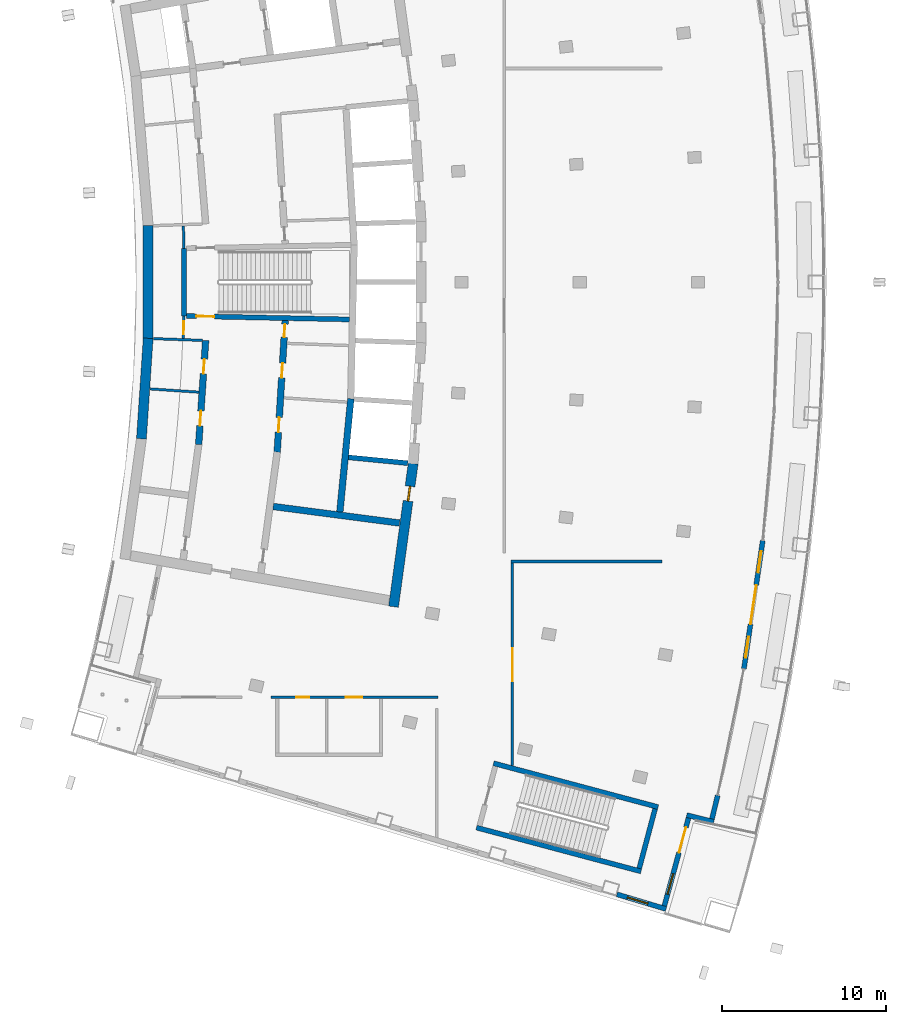
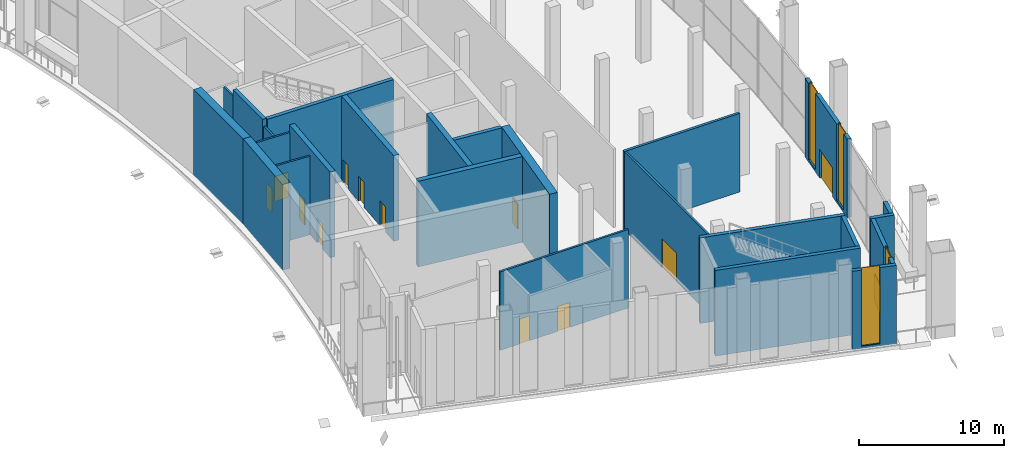
# One storey, part 14 of 24: 25 walls, 13 doors, 4 windows, 17 openings.
"""IFC4 building model written with IfcOpenShell, lengths in metres."""

from ifc_helpers import new_model, si_unit, direction, frame, frame_2d, origin, place, context, subcontext, project, spatial, rectangle, extrude, material, layer, layer_set, type_object, element, fill, save


model = new_model("IFC4")

# Units and contexts
model_context = context("Model", 3, precision=1e-05, world=origin(), true_north=direction((0.0, 1.0)))
body_context = subcontext(model_context, "Body", "Model", "MODEL_VIEW")
ifc_project = project(units=[si_unit("LENGTHUNIT", "METRE"), si_unit("AREAUNIT", "SQUARE_METRE"), si_unit("VOLUMEUNIT", "CUBIC_METRE"), si_unit("PLANEANGLEUNIT", "RADIAN"), si_unit("MASSUNIT", "GRAM", prefix="KILO")], contexts=[model_context])

# Site, building, storey
site_placement = place(None, origin())
site = spatial("IfcSite", under=ifc_project, at=site_placement, CompositionType="ELEMENT")
building_placement = place(site_placement, origin())
building = spatial("IfcBuilding", under=site, at=building_placement, Name="Alderwake Tower", CompositionType="ELEMENT")
storey_placement = place(building_placement, frame((0.0, 0.0, 232.39990234375)))
storey = spatial("IfcBuildingStorey", under=building, at=storey_placement, Name="L58", CompositionType="ELEMENT", Elevation=232.39990234375)

# Wall, opening, door
ifc_material_1 = material(Name="Gypsum shaft wall system, rated")
ifc_layer_1 = layer(ifc_material_1, 0.14990234375)
ifc_layer_set_1 = layer_set([ifc_layer_1], Name="Core room partition 150")
wall_type_1 = type_object("IfcWallType", Name="Core room partition 150", PredefinedType="PARTITIONING", material=ifc_layer_set_1)
wall_1_placement = place(storey_placement, frame((18.918701171875, 58.94384765625, 0.0), z_axis=(0.0, 0.0, 1.0), x_axis=(-0.027811602725, -0.999613182563, 0.0)))
wall_1 = element("IfcWall", 1, at=wall_1_placement, inside=storey, type_object=wall_type_1, Name="CW/L58/PA+24_-37", PredefinedType="PARTITIONING", context=body_context, shape_type="SweptSolid", body=[
    extrude(rectangle(XDim=1.369384765625, YDim=0.14990234375, at=frame_2d((0.6845703125, 0.0))), origin(), (0.0, 0.0, 1.0), 6.60009765625),
])
opening_1_placement = place(wall_1_placement, frame((0.322998046875, 0.0, 0.0)))
opening_1 = element("IfcOpeningElement", 2, at=opening_1_placement, cuts=wall_1, Name="Opening C004", PredefinedType="OPENING", context=body_context, shape_type="SweptSolid", body=[
    extrude(rectangle(XDim=0.800048828125, YDim=2.0, at=frame_2d((0.39990234375, 1.0))), frame((0.0, 0.0849609375, 0.0), z_axis=(0.0, -1.0, 0.0), x_axis=(1.0, 0.0, 0.0)), (0.0, 0.0, 1.0), 0.169921875),
])
ifc_material_2 = material(Name="Painted steel leaf, rated", Category="steel")
door_type_1 = type_object("IfcDoorType", Name="Riser access door 800", OperationType="SINGLE_SWING_LEFT", PredefinedType="DOOR", material=ifc_material_2)
door_1_placement = place(opening_1_placement, origin())
door_1 = element("IfcDoor", 3, at=door_1_placement, inside=storey, type_object=door_type_1, Name="Riser access door", OperationType="SINGLE_SWING_RIGHT", OverallHeight=2.0, OverallWidth=0.800048828125, PredefinedType="DOOR", context=body_context, shape_type="SweptSolid", body=[
    extrude(rectangle(XDim=0.800048828125, YDim=2.0, at=frame_2d((0.39990234375, 1.0))), frame((0.0, 0.02490234375, 0.0), z_axis=(0.0, -1.0, 0.0), x_axis=(1.0, 0.0, 0.0)), (0.0, 0.0, 1.0), 0.050048828125),
])
fill(opening_1, door_1)

# Walls
wall_2_placement = place(storey_placement, frame((18.918701171875, 63.05517578125, 0.0), z_axis=(0.0, 0.0, 1.0), x_axis=(-0.027791791559, 0.99961373356, 0.0)))
element("IfcWall", 4, at=wall_2_placement, inside=storey, type_object=wall_type_1, Name="CW/L58/PA+24_+22", PredefinedType="PARTITIONING", context=body_context, shape_type="SweptSolid", body=[
    extrude(rectangle(XDim=1.370361328125, YDim=0.14990234375, at=frame_2d((0.68505859375, 0.0))), origin(), (0.0, 0.0, 1.0), 6.60009765625),
])
wall_3_placement = place(storey_placement, frame((16.864501953125, 54.506103515625, 0.0), z_axis=(0.0, 0.0, 1.0), x_axis=(0.997761437145, -0.066873870437, 0.0)))
element("IfcWall", 5, at=wall_3_placement, inside=storey, type_object=wall_type_1, Name="CW/L58/PR-70_+0", PredefinedType="PARTITIONING", context=body_context, shape_type="SweptSolid", body=[
    extrude(rectangle(XDim=2.968017578125, YDim=0.14990234375, at=frame_2d((1.48388671875, 0.0))), origin(), (0.0, 0.0, 1.0), 6.60009765625),
])
wall_4_placement = place(storey_placement, frame((17.0693359375, 57.56396484375, 0.0), z_axis=(0.0, 0.0, 1.0), x_axis=(0.999374945052, -0.03535136775, 0.0)))
element("IfcWall", 6, at=wall_4_placement, inside=storey, type_object=wall_type_1, Name="CW/L58/PR-37_+0", PredefinedType="PARTITIONING", context=body_context, shape_type="SweptSolid", body=[
    extrude(rectangle(XDim=2.9697265625, YDim=0.14990234375, at=frame_2d((1.48486328125, 0.0))), origin(), (0.0, 0.0, 1.0), 6.60009765625),
])
ifc_material_3 = material(Name="Concrete C70/85", Category="concrete")
ifc_layer_2 = layer(ifc_material_3, 0.60009765625)
ifc_layer_set_2 = layer_set([ifc_layer_2], Name="Core wall outer 600 C70-85")
wall_type_2 = type_object("IfcWallType", Name="Core wall outer 600 C70-85", PredefinedType="SHEAR", material=ifc_layer_set_2)
wall_5_placement = place(storey_placement, frame((16.330078125, 51.469970703125, 0.0), z_axis=(0.0, 0.0, 1.0), x_axis=(0.066870582109, 0.997761657536, 0.0)))
element("IfcWall", 7, at=wall_5_placement, inside=storey, type_object=wall_type_2, Name="Core wall CW.036", PredefinedType="SHEAR", context=body_context, shape_type="SweptSolid", body=[
    extrude(rectangle(XDim=6.1298828125, YDim=0.60009765625, at=frame_2d((3.06494140625, 0.0))), origin(), (0.0, 0.0, 1.0), 7.2001953125),
])
wall_6_placement = place(storey_placement, frame((16.739501953125, 57.565185546875, 0.0), z_axis=(0.0, 0.0, 1.0), x_axis=(0.0, 1.0, 0.0)))
element("IfcWall", 8, at=wall_6_placement, inside=storey, type_object=wall_type_2, Name="Core wall CW.038", PredefinedType="SHEAR", context=body_context, shape_type="SweptSolid", body=[
    extrude(rectangle(XDim=6.8720703125, YDim=0.60009765625, at=frame_2d((3.43603515625, 0.0))), origin(), (0.0, 0.0, 1.0), 7.2001953125),
])

# Wall, opening, door
wall_7_placement = place(storey_placement, frame((32.862548828125, 49.967529296875, 0.0), z_axis=(0.0, 0.0, 1.0), x_axis=(-0.135856583698, -0.990728514108, 0.0)))
wall_7 = element("IfcWall", 9, at=wall_7_placement, inside=storey, type_object=wall_type_2, Name="Core wall CW.017", PredefinedType="SHEAR", context=body_context, shape_type="SweptSolid", body=[
    extrude(rectangle(XDim=8.79296875, YDim=0.60009765625, at=frame_2d((4.396484375, 0.0))), origin(), (0.0, 0.0, 1.0), 7.2001953125),
])
opening_2_placement = place(wall_7_placement, frame((1.40380859375, 0.0, 0.0)))
opening_2 = element("IfcOpeningElement", 10, at=opening_2_placement, cuts=wall_7, Name="Opening C050", PredefinedType="OPENING", context=body_context, shape_type="SweptSolid", body=[
    extrude(rectangle(XDim=0.89990234375, YDim=2.10009765625, at=frame_2d((0.449951171875, 1.050048828125))), frame((0.0, 0.31005859375, 0.0), z_axis=(0.0, -1.0, 0.0), x_axis=(1.0, 0.0, 0.0)), (0.0, 0.0, 1.0), 0.6201171875),
])
ifc_material_4 = material(Name="Painted steel leaf", Category="steel")
door_type_2 = type_object("IfcDoorType", Name="Core room door 900", OperationType="SINGLE_SWING_LEFT", PredefinedType="DOOR", material=ifc_material_4)
door_2_placement = place(opening_2_placement, origin())
door_2 = element("IfcDoor", 11, at=door_2_placement, inside=storey, type_object=door_type_2, Name="Room door", OperationType="SINGLE_SWING_RIGHT", OverallHeight=2.10009765625, OverallWidth=0.89990234375, PredefinedType="DOOR", context=body_context, shape_type="SweptSolid", body=[
    extrude(rectangle(XDim=0.89990234375, YDim=2.10009765625, at=frame_2d((0.449951171875, 1.050048828125))), frame((0.0, 0.050048828125, 0.0), z_axis=(0.0, -1.0, 0.0), x_axis=(1.0, 0.0, 0.0)), (0.0, 0.0, 1.0), 0.10009765625),
])
fill(opening_2, door_2)

# Wall
ifc_material_5 = material(Name="Concrete C70/85", Category="concrete")
ifc_layer_3 = layer(ifc_material_5, 0.300048828125)
ifc_layer_set_3 = layer_set([ifc_layer_3], Name="Core wall shaft 300 C70-85")
wall_type_3 = type_object("IfcWallType", Name="Core wall shaft 300 C70-85", PredefinedType="SHEAR", material=ifc_layer_set_3)
wall_8_placement = place(storey_placement, frame((28.92529296875, 50.341552734375, 0.0), z_axis=(0.0, 0.0, 1.0), x_axis=(0.995244416713, -0.097409193622, 0.0)))
element("IfcWall", 12, at=wall_8_placement, inside=storey, type_object=wall_type_3, Name="Core wall CW.064", PredefinedType="SHEAR", context=body_context, shape_type="SweptSolid", body=[
    extrude(rectangle(XDim=3.624267578125, YDim=0.300048828125, at=frame_2d((1.81201171875, 0.0))), origin(), (0.0, 0.0, 1.0), 7.2001953125),
])

# Wall, openings, doors
ifc_material_6 = material(Name="Concrete C70/85", Category="concrete")
ifc_layer_4 = layer(ifc_material_6, 0.39990234375)
ifc_layer_set_4 = layer_set([ifc_layer_4], Name="Core wall spine 400 C70-85")
wall_type_4 = type_object("IfcWallType", Name="Core wall spine 400 C70-85", PredefinedType="SHEAR", material=ifc_layer_set_4)
wall_9_placement = place(storey_placement, frame((20.2373046875, 57.451904296875, 0.0), z_axis=(0.0, 0.0, 1.0), x_axis=(-0.066884681503, -0.997760712486, 0.0)))
wall_9 = element("IfcWall", 13, at=wall_9_placement, inside=storey, type_object=wall_type_4, Name="Core wall CW.032", PredefinedType="SHEAR", context=body_context, shape_type="SweptSolid", body=[
    extrude(rectangle(XDim=6.336669921875, YDim=0.39990234375, at=frame_2d((3.16845703125, 0.0))), origin(), (0.0, 0.0, 1.0), 7.2001953125),
])
opening_3_placement = place(wall_9_placement, frame((4.297119140625, 0.0, 0.0)))
opening_3 = element("IfcOpeningElement", 14, at=opening_3_placement, cuts=wall_9, Name="Opening C038", PredefinedType="OPENING", context=body_context, shape_type="SweptSolid", body=[
    extrude(rectangle(XDim=0.89990234375, YDim=2.10009765625, at=frame_2d((0.449951171875, 1.050048828125))), frame((0.0, 0.2099609375, 0.0), z_axis=(0.0, -1.0, 0.0), x_axis=(1.0, 0.0, 0.0)), (0.0, 0.0, 1.0), 0.419921875),
])
opening_4_placement = place(wall_9_placement, frame((1.132080078125, 0.0, 0.0)))
opening_4 = element("IfcOpeningElement", 15, at=opening_4_placement, cuts=wall_9, Name="Opening C042", PredefinedType="OPENING", context=body_context, shape_type="SweptSolid", body=[
    extrude(rectangle(XDim=0.89990234375, YDim=2.10009765625, at=frame_2d((0.449951171875, 1.050048828125))), frame((0.0, 0.2099609375, 0.0), z_axis=(0.0, -1.0, 0.0), x_axis=(1.0, 0.0, 0.0)), (0.0, 0.0, 1.0), 0.419921875),
])
door_3_placement = place(opening_3_placement, origin())
door_3 = element("IfcDoor", 16, at=door_3_placement, inside=storey, type_object=door_type_2, Name="Room door", OperationType="SINGLE_SWING_RIGHT", OverallHeight=2.10009765625, OverallWidth=0.89990234375, PredefinedType="DOOR", context=body_context, shape_type="SweptSolid", body=[
    extrude(rectangle(XDim=0.89990234375, YDim=2.10009765625, at=frame_2d((0.449951171875, 1.050048828125))), frame((0.0, 0.02490234375, 0.0), z_axis=(0.0, -1.0, 0.0), x_axis=(1.0, 0.0, 0.0)), (0.0, 0.0, 1.0), 0.050048828125),
])
fill(opening_3, door_3)
door_4_placement = place(opening_4_placement, origin())
door_4 = element("IfcDoor", 17, at=door_4_placement, inside=storey, type_object=door_type_2, Name="Room door", OperationType="SINGLE_SWING_LEFT", OverallHeight=2.10009765625, OverallWidth=0.89990234375, PredefinedType="DOOR", context=body_context, shape_type="SweptSolid", body=[
    extrude(rectangle(XDim=0.89990234375, YDim=2.10009765625, at=frame_2d((0.449951171875, 1.050048828125))), frame((0.0, 0.02490234375, 0.0), z_axis=(0.0, -1.0, 0.0), x_axis=(1.0, 0.0, 0.0)), (0.0, 0.0, 1.0), 0.050048828125),
])
fill(opening_4, door_4)

wall_10_placement = place(storey_placement, frame((24.590087890625, 50.65673828125, 0.0), z_axis=(0.0, 0.0, 1.0), x_axis=(0.060318641452, 0.998179173041, 0.0)))
wall_10 = element("IfcWall", 18, at=wall_10_placement, inside=storey, type_object=wall_type_4, Name="Core wall CW.046", PredefinedType="SHEAR", context=body_context, shape_type="SweptSolid", body=[
    extrude(rectangle(XDim=8.022216796875, YDim=0.39990234375, at=frame_2d((4.01123046875, 0.0))), origin(), (0.0, 0.0, 1.0), 7.2001953125),
])
opening_5_placement = place(wall_10_placement, frame((7.006103515625, 0.0, 0.0)))
opening_5 = element("IfcOpeningElement", 19, at=opening_5_placement, cuts=wall_10, Name="Opening C006", PredefinedType="OPENING", context=body_context, shape_type="SweptSolid", body=[
    extrude(rectangle(XDim=0.800048828125, YDim=2.0, at=frame_2d((0.39990234375, 1.0))), frame((0.0, 0.2099609375, 0.0), z_axis=(0.0, -1.0, 0.0), x_axis=(1.0, 0.0, 0.0)), (0.0, 0.0, 1.0), 0.419921875),
])
opening_6_placement = place(wall_10_placement, frame((1.21533203125, 0.0, 0.0)))
opening_6 = element("IfcOpeningElement", 20, at=opening_6_placement, cuts=wall_10, Name="Opening C044", PredefinedType="OPENING", context=body_context, shape_type="SweptSolid", body=[
    extrude(rectangle(XDim=0.89990234375, YDim=2.10009765625, at=frame_2d((0.449951171875, 1.050048828125))), frame((0.0, 0.2099609375, 0.0), z_axis=(0.0, -1.0, 0.0), x_axis=(1.0, 0.0, 0.0)), (0.0, 0.0, 1.0), 0.419921875),
])
opening_7_placement = place(wall_10_placement, frame((4.531982421875, 0.0, 0.0)))
opening_7 = element("IfcOpeningElement", 21, at=opening_7_placement, cuts=wall_10, Name="Opening C048", PredefinedType="OPENING", context=body_context, shape_type="SweptSolid", body=[
    extrude(rectangle(XDim=0.89990234375, YDim=2.10009765625, at=frame_2d((0.449951171875, 1.050048828125))), frame((0.0, 0.2099609375, 0.0), z_axis=(0.0, -1.0, 0.0), x_axis=(1.0, 0.0, 0.0)), (0.0, 0.0, 1.0), 0.419921875),
])
door_5_placement = place(opening_6_placement, origin())
door_5 = element("IfcDoor", 22, at=door_5_placement, inside=storey, type_object=door_type_2, Name="Room door", OperationType="SINGLE_SWING_RIGHT", OverallHeight=2.10009765625, OverallWidth=0.89990234375, PredefinedType="DOOR", context=body_context, shape_type="SweptSolid", body=[
    extrude(rectangle(XDim=0.89990234375, YDim=2.10009765625, at=frame_2d((0.449951171875, 1.050048828125))), frame((0.0, 0.02490234375, 0.0), z_axis=(0.0, -1.0, 0.0), x_axis=(1.0, 0.0, 0.0)), (0.0, 0.0, 1.0), 0.050048828125),
])
fill(opening_6, door_5)
door_6_placement = place(opening_7_placement, origin())
door_6 = element("IfcDoor", 23, at=door_6_placement, inside=storey, type_object=door_type_2, Name="Room door", OperationType="SINGLE_SWING_LEFT", OverallHeight=2.10009765625, OverallWidth=0.89990234375, PredefinedType="DOOR", context=body_context, shape_type="SweptSolid", body=[
    extrude(rectangle(XDim=0.89990234375, YDim=2.10009765625, at=frame_2d((0.449951171875, 1.050048828125))), frame((0.0, 0.02490234375, 0.0), z_axis=(0.0, -1.0, 0.0), x_axis=(1.0, 0.0, 0.0)), (0.0, 0.0, 1.0), 0.050048828125),
])
fill(opening_7, door_6)
door_7_placement = place(opening_5_placement, origin())
door_7 = element("IfcDoor", 24, at=door_7_placement, inside=storey, type_object=door_type_1, Name="Riser access door", OperationType="SINGLE_SWING_RIGHT", OverallHeight=2.0, OverallWidth=0.800048828125, PredefinedType="DOOR", context=body_context, shape_type="SweptSolid", body=[
    extrude(rectangle(XDim=0.800048828125, YDim=2.0, at=frame_2d((0.39990234375, 1.0))), frame((0.0, 0.02490234375, 0.0), z_axis=(0.0, -1.0, 0.0), x_axis=(1.0, 0.0, 0.0)), (0.0, 0.0, 1.0), 0.050048828125),
])
fill(opening_5, door_7)

# Walls
wall_11_placement = place(storey_placement, frame((28.402587890625, 47.0234375, 0.0), z_axis=(0.0, 0.0, 1.0), x_axis=(0.096500230077, 0.995332962177, 0.0)))
element("IfcWall", 25, at=wall_11_placement, inside=storey, type_object=wall_type_4, Name="Core wall CW.005", PredefinedType="SHEAR", context=body_context, shape_type="SweptSolid", body=[
    extrude(rectangle(XDim=6.914306640625, YDim=0.39990234375, at=frame_2d((3.45703125, 0.0))), origin(), (0.0, 0.0, 1.0), 7.2001953125),
])
wall_12_placement = place(storey_placement, frame((24.34619140625, 47.352294921875, 0.0), z_axis=(0.0, 0.0, 1.0), x_axis=(0.991554866591, -0.129687881233, 0.0)))
element("IfcWall", 26, at=wall_12_placement, inside=storey, type_object=wall_type_4, Name="Core wall CW.069", PredefinedType="SHEAR", context=body_context, shape_type="SweptSolid", body=[
    extrude(rectangle(XDim=7.752197265625, YDim=0.39990234375, at=frame_2d((3.8759765625, 0.0))), origin(), (0.0, 0.0, 1.0), 7.2001953125),
])
ifc_material_7 = material(Name="Concrete C70/85", Category="concrete")
ifc_layer_5 = layer(ifc_material_7, 0.300048828125)
ifc_layer_set_5 = layer_set([ifc_layer_5], Name="Core wall stair enclosure 300 C70-85")
wall_type_5 = type_object("IfcWallType", Name="Core wall stair enclosure 300 C70-85", PredefinedType="SHEAR", material=ifc_layer_set_5)
wall_13_placement = place(storey_placement, frame((18.918701171875, 58.940673828125, 0.0), z_axis=(0.0, 0.0, 1.0), x_axis=(0.0, 1.0, 0.0)))
element("IfcWall", 27, at=wall_13_placement, inside=storey, type_object=wall_type_5, Name="Core wall CW.024", PredefinedType="SHEAR", context=body_context, shape_type="SweptSolid", body=[
    extrude(rectangle(XDim=4.11962890625, YDim=0.300048828125, at=frame_2d((2.059814453125, 0.0))), origin(), (0.0, 0.0, 1.0), 7.2001953125),
])

# Wall, opening, door
wall_14_placement = place(storey_placement, frame((28.975830078125, 58.733154296875, 0.0), z_axis=(0.0, 0.0, 1.0), x_axis=(-0.999783782948, 0.020793925895, 0.0)))
wall_14 = element("IfcWall", 28, at=wall_14_placement, inside=storey, type_object=wall_type_5, Name="Core wall CW.074", PredefinedType="SHEAR", context=body_context, shape_type="SweptSolid", body=[
    extrude(rectangle(XDim=9.909423828125, YDim=0.300048828125, at=frame_2d((4.95458984375, 0.0))), origin(), (0.0, 0.0, 1.0), 7.2001953125),
])
opening_8_placement = place(wall_14_placement, frame((8.20947265625, 0.0, 0.0)))
opening_8 = element("IfcOpeningElement", 29, at=opening_8_placement, cuts=wall_14, Name="Opening C063", PredefinedType="OPENING", context=body_context, shape_type="SweptSolid", body=[
    extrude(rectangle(XDim=1.10009765625, YDim=2.10009765625, at=frame_2d((0.550048828125, 1.050048828125))), frame((0.0, 0.159912109375, 0.0), z_axis=(0.0, -1.0, 0.0), x_axis=(1.0, 0.0, 0.0)), (0.0, 0.0, 1.0), 0.320068359375),
])
ifc_material_8 = material(Name="Steel-framed fire door leaf", Category="steel")
door_type_3 = type_object("IfcDoorType", Name="Core stair door 1100 fire-rated", OperationType="SINGLE_SWING_LEFT", PredefinedType="DOOR", material=ifc_material_8)
door_8_placement = place(opening_8_placement, origin())
door_8 = element("IfcDoor", 30, at=door_8_placement, inside=storey, type_object=door_type_3, Name="Stair door", OperationType="SINGLE_SWING_LEFT", OverallHeight=2.10009765625, OverallWidth=1.10009765625, PredefinedType="DOOR", context=body_context, shape_type="SweptSolid", body=[
    extrude(rectangle(XDim=1.10009765625, YDim=2.10009765625, at=frame_2d((0.550048828125, 1.050048828125))), frame((0.0, 0.02490234375, 0.0), z_axis=(0.0, -1.0, 0.0), x_axis=(1.0, 0.0, 0.0)), (0.0, 0.0, 1.0), 0.050048828125),
])
fill(opening_8, door_8)

# Walls
for number, where, z_axis, x_axis, name in (
    (31, (37.75390625, 31.731201171875, 0.0), (0.0, 0.0, 1.0), (0.966309214305, -0.257383958996, 0.0), "Core wall CW.086"),
    (32, (36.71142578125, 27.817626953125, 0.0), (0.0, 0.0, 1.0), (0.966309214305, -0.257383958996, 0.0), "Core wall CW.088"),
):
    element("IfcWall", number, at=place(storey_placement, frame(where, z_axis=z_axis, x_axis=x_axis)), inside=storey, type_object=wall_type_5, Name=name, PredefinedType="SHEAR", context=body_context, shape_type="SweptSolid", body=[
        extrude(rectangle(XDim=10.360107421875, YDim=0.300048828125, at=frame_2d((5.18017578125, 0.0))), origin(), (0.0, 0.0, 1.0), 7.2001953125),
    ])
wall_15_placement = place(storey_placement, frame((46.6162109375, 25.334716796875, 0.0), z_axis=(0.0, 0.0, 1.0), x_axis=(0.257366821694, 0.966313778796, 0.0)))
element("IfcWall", 33, at=wall_15_placement, inside=storey, type_object=wall_type_5, Name="Core wall CW.085", PredefinedType="SHEAR", context=body_context, shape_type="SweptSolid", body=[
    extrude(rectangle(XDim=3.749755859375, YDim=0.300048828125, at=frame_2d((1.875, 0.0))), origin(), (0.0, 0.0, 1.0), 7.2001953125),
])

# Wall, openings, doors
ifc_material_9 = material(Name="Gypsum board on metal studs, rated")
ifc_layer_6 = layer(ifc_material_9, 0.159912109375)
ifc_layer_set_6 = layer_set([ifc_layer_6], Name="Corridor wall 160")
wall_type_6 = type_object("IfcWallType", Name="Corridor wall 160", PredefinedType="PARTITIONING", material=ifc_layer_set_6)
wall_16_placement = place(storey_placement, frame((24.20703125, 35.7509765625, 0.0), z_axis=(0.0, 0.0, 1.0), x_axis=(1.0, 0.0, 0.0)))
wall_16 = element("IfcWall", 34, at=wall_16_placement, inside=storey, type_object=wall_type_6, Name="WL/L58/W11", PredefinedType="PARTITIONING", context=body_context, shape_type="SweptSolid", body=[
    extrude(rectangle(XDim=10.171875, YDim=0.159912109375, at=frame_2d((5.0859375, 0.0))), origin(), (0.0, 0.0, 1.0), 6.60009765625),
])
opening_9_placement = place(wall_16_placement, frame((1.54296875, 0.0, 0.0)))
opening_9 = element("IfcOpeningElement", 35, at=opening_9_placement, cuts=wall_16, Name="Opening L58-07", PredefinedType="OPENING", context=body_context, shape_type="SweptSolid", body=[
    extrude(rectangle(XDim=0.800048828125, YDim=2.10009765625, at=frame_2d((0.39990234375, 1.050048828125))), frame((0.0, 0.08984375, 0.0), z_axis=(0.0, -1.0, 0.0), x_axis=(1.0, 0.0, 0.0)), (0.0, 0.0, 1.0), 0.179931640625),
])
opening_10_placement = place(wall_16_placement, frame((4.54296875, 0.0, 0.0)))
opening_10 = element("IfcOpeningElement", 36, at=opening_10_placement, cuts=wall_16, Name="Opening L58-08", PredefinedType="OPENING", context=body_context, shape_type="SweptSolid", body=[
    extrude(rectangle(XDim=1.0, YDim=2.10009765625, at=frame_2d((0.5, 1.050048828125))), frame((0.0, 0.08984375, 0.0), z_axis=(0.0, -1.0, 0.0), x_axis=(1.0, 0.0, 0.0)), (0.0, 0.0, 1.0), 0.179931640625),
])
ifc_material_10 = material(Name="Painted timber leaf", Category="wood")
door_type_4 = type_object("IfcDoorType", Name="Accessible WC door 1000", OperationType="SINGLE_SWING_LEFT", PredefinedType="DOOR", material=ifc_material_10)
door_9_placement = place(opening_10_placement, origin())
door_9 = element("IfcDoor", 37, at=door_9_placement, inside=storey, type_object=door_type_4, Name="DR/L58/08", OperationType="SINGLE_SWING_LEFT", OverallHeight=2.10009765625, OverallWidth=1.0, PredefinedType="DOOR", context=body_context, shape_type="SweptSolid", body=[
    extrude(rectangle(XDim=1.0, YDim=2.10009765625, at=frame_2d((0.5, 1.050048828125))), frame((0.0, 0.02490234375, 0.0), z_axis=(0.0, -1.0, 0.0), x_axis=(1.0, 0.0, 0.0)), (0.0, 0.0, 1.0), 0.050048828125),
])
fill(opening_10, door_9)
ifc_material_11 = material(Name="Painted timber leaf", Category="wood")
door_type_5 = type_object("IfcDoorType", Name="Bathroom door 800", OperationType="SINGLE_SWING_LEFT", PredefinedType="DOOR", material=ifc_material_11)
door_10_placement = place(opening_9_placement, origin())
door_10 = element("IfcDoor", 38, at=door_10_placement, inside=storey, type_object=door_type_5, Name="DR/L58/07", OperationType="SINGLE_SWING_LEFT", OverallHeight=2.10009765625, OverallWidth=0.800048828125, PredefinedType="DOOR", context=body_context, shape_type="SweptSolid", body=[
    extrude(rectangle(XDim=0.800048828125, YDim=2.10009765625, at=frame_2d((0.39990234375, 1.050048828125))), frame((0.0, 0.02490234375, 0.0), z_axis=(0.0, -1.0, 0.0), x_axis=(1.0, 0.0, 0.0)), (0.0, 0.0, 1.0), 0.050048828125),
])
fill(opening_9, door_10)

# Wall, opening, door
wall_17_placement = place(storey_placement, frame((38.90087890625, 31.60107421875, 0.0), z_axis=(0.0, 0.0, 1.0), x_axis=(0.0, 1.0, 0.0)))
wall_17 = element("IfcWall", 39, at=wall_17_placement, inside=storey, type_object=wall_type_6, Name="WL/L58/W16", PredefinedType="PARTITIONING", context=body_context, shape_type="SweptSolid", body=[
    extrude(rectangle(XDim=12.2998046875, YDim=0.159912109375, at=frame_2d((6.14990234375, 0.0))), origin(), (0.0, 0.0, 1.0), 6.60009765625),
])
opening_11_placement = place(wall_17_placement, frame((5.130126953125, 0.0, 0.0)))
opening_11 = element("IfcOpeningElement", 40, at=opening_11_placement, cuts=wall_17, Name="Opening L58-01", PredefinedType="OPENING", context=body_context, shape_type="SweptSolid", body=[
    extrude(rectangle(XDim=2.0, YDim=2.39990234375, at=frame_2d((1.0, 1.199951171875))), frame((0.0, 0.08984375, 0.0), z_axis=(0.0, -1.0, 0.0), x_axis=(1.0, 0.0, 0.0)), (0.0, 0.0, 1.0), 0.179931640625),
])
ifc_material_12 = material(Name="Timber leaves with glazed panels", Category="wood")
door_type_6 = type_object("IfcDoorType", Name="Hall double door 2000", OperationType="DOUBLE_DOOR_SINGLE_SWING", PredefinedType="DOOR", material=ifc_material_12)
door_11_placement = place(opening_11_placement, origin())
door_11 = element("IfcDoor", 41, at=door_11_placement, inside=storey, type_object=door_type_6, Name="DR/L58/01", OperationType="DOUBLE_DOOR_SINGLE_SWING", OverallHeight=2.39990234375, OverallWidth=2.0, PredefinedType="DOOR", context=body_context, shape_type="SweptSolid", body=[
    extrude(rectangle(XDim=2.0, YDim=2.39990234375, at=frame_2d((1.0, 1.199951171875))), frame((0.0, 0.02490234375, 0.0), z_axis=(0.0, -1.0, 0.0), x_axis=(1.0, 0.0, 0.0)), (0.0, 0.0, 1.0), 0.050048828125),
])
fill(opening_11, door_11)

# Wall
ifc_material_13 = material(Name="Precast concrete C50/60 spandrel panel", Category="concrete")
ifc_layer_7 = layer(ifc_material_13, 0.300048828125)
ifc_layer_set_7 = layer_set([ifc_layer_7], Name="External wall EW1 Precast concrete C50/60 spandrel")
wall_type_7 = type_object("IfcWallType", Name="External wall EW1 Precast concrete C50/60 spandrel", PredefinedType="SOLIDWALL", material=ifc_layer_set_7)
wall_18_placement = place(storey_placement, frame((51.0400390625, 28.346435546875, 0.0), z_axis=(0.0, 0.0, 1.0), x_axis=(0.238390048403, 0.971169493354, 0.0)))
element("IfcWall", 42, at=wall_18_placement, inside=storey, type_object=wall_type_7, Name="External wall 14", PredefinedType="SOLIDWALL", context=body_context, shape_type="SweptSolid", body=[
    extrude(rectangle(XDim=1.4697265625, YDim=0.300048828125, at=frame_2d((0.73486328125, 0.0))), origin(), (0.0, 0.0, 1.0), 6.60009765625),
])

# Wall, openings, door, windows
wall_19_placement = place(storey_placement, frame((52.987060546875, 37.4853515625, 0.0), z_axis=(0.0, 0.0, 1.0), x_axis=(0.145311132132, 0.989386009037, 0.0)))
wall_19 = element("IfcWall", 43, at=wall_19_placement, inside=storey, type_object=wall_type_7, Name="External wall 15", PredefinedType="SOLIDWALL", context=body_context, shape_type="SweptSolid", body=[
    extrude(rectangle(XDim=7.8798828125, YDim=0.300048828125, at=frame_2d((3.93994140625, 0.0))), origin(), (0.0, 0.0, 1.0), 6.60009765625),
])
opening_12_placement = place(wall_19_placement, frame((0.663330078125, 0.0, 0.199951171875)))
opening_12 = element("IfcOpeningElement", 44, at=opening_12_placement, cuts=wall_19, Name="Opening W5", PredefinedType="OPENING", context=body_context, shape_type="SweptSolid", body=[
    extrude(rectangle(XDim=1.300048828125, YDim=6.5, at=frame_2d((0.64990234375, 3.25))), frame((0.0, 0.159912109375, 0.0), z_axis=(0.0, -1.0, 0.0), x_axis=(1.0, 0.0, 0.0)), (0.0, 0.0, 1.0), 0.320068359375),
])
opening_13_placement = place(wall_19_placement, frame((2.739990234375, 0.0, 0.0)))
opening_13 = element("IfcOpeningElement", 45, at=opening_13_placement, cuts=wall_19, Name="Opening D04", PredefinedType="OPENING", context=body_context, shape_type="SweptSolid", body=[
    extrude(rectangle(XDim=2.39990234375, YDim=2.39990234375, at=frame_2d((1.199951171875, 1.199951171875))), frame((0.0, 0.159912109375, 0.0), z_axis=(0.0, -1.0, 0.0), x_axis=(1.0, 0.0, 0.0)), (0.0, 0.0, 1.0), 0.320068359375),
])
opening_14_placement = place(wall_19_placement, frame((5.91650390625, 0.0, 0.199951171875)))
opening_14 = element("IfcOpeningElement", 46, at=opening_14_placement, cuts=wall_19, Name="Opening W5", PredefinedType="OPENING", context=body_context, shape_type="SweptSolid", body=[
    extrude(rectangle(XDim=1.300048828125, YDim=6.5, at=frame_2d((0.64990234375, 3.25))), frame((0.0, 0.159912109375, 0.0), z_axis=(0.0, -1.0, 0.0), x_axis=(1.0, 0.0, 0.0)), (0.0, 0.0, 1.0), 0.320068359375),
])
ifc_material_14 = material(Name="Bronze tinted glass in aluminium frame", Category="aluminium")
door_type_7 = type_object("IfcDoorType", Name="Garden door GD sliding", OperationType="DOUBLE_DOOR_SINGLE_SWING", PredefinedType="DOOR", material=ifc_material_14)
door_12_placement = place(opening_13_placement, origin())
door_12 = element("IfcDoor", 47, at=door_12_placement, inside=storey, type_object=door_type_7, Name="Door D04", OperationType="DOUBLE_DOOR_SINGLE_SWING", OverallHeight=2.39990234375, OverallWidth=2.39990234375, PredefinedType="DOOR", context=body_context, shape_type="SweptSolid", body=[
    extrude(rectangle(XDim=2.39990234375, YDim=2.39990234375, at=frame_2d((1.199951171875, 1.199951171875))), frame((0.0, 0.02490234375, 0.0), z_axis=(0.0, -1.0, 0.0), x_axis=(1.0, 0.0, 0.0)), (0.0, 0.0, 1.0), 0.050048828125),
])
fill(opening_13, door_12)
ifc_material_15 = material(Name="Bronze tinted glass in aluminium frame", Category="aluminium")
window_type = type_object("IfcWindowType", Name="Window W5 garden floor tall", PartitioningType="SINGLE_PANEL", PredefinedType="WINDOW", material=ifc_material_15)
window_1_placement = place(opening_12_placement, origin())
window_1 = element("IfcWindow", 48, at=window_1_placement, inside=storey, type_object=window_type, Name="Window W5 garden floor tall", OverallHeight=6.5, OverallWidth=1.300048828125, PartitioningType="SINGLE_PANEL", PredefinedType="WINDOW", context=body_context, shape_type="SweptSolid", body=[
    extrude(rectangle(XDim=1.300048828125, YDim=6.5, at=frame_2d((0.64990234375, 3.25))), frame((0.0, 0.030029296875, 0.0), z_axis=(0.0, -1.0, 0.0), x_axis=(1.0, 0.0, 0.0)), (0.0, 0.0, 1.0), 0.06005859375),
])
fill(opening_12, window_1)
window_2_placement = place(opening_14_placement, origin())
window_2 = element("IfcWindow", 49, at=window_2_placement, inside=storey, type_object=window_type, Name="Window W5 garden floor tall", OverallHeight=6.5, OverallWidth=1.300048828125, PartitioningType="SINGLE_PANEL", PredefinedType="WINDOW", context=body_context, shape_type="SweptSolid", body=[
    extrude(rectangle(XDim=1.300048828125, YDim=6.5, at=frame_2d((0.64990234375, 3.25))), frame((0.0, 0.030029296875, 0.0), z_axis=(0.0, -1.0, 0.0), x_axis=(1.0, 0.0, 0.0)), (0.0, 0.0, 1.0), 0.06005859375),
])
fill(opening_14, window_2)

# Wall, opening, window
ifc_material_16 = material(Name="Bronze metal cladding on lightweight framing")
ifc_layer_8 = layer(ifc_material_16, 0.300048828125)
ifc_layer_set_8 = layer_set([ifc_layer_8], Name="External wall EW2 bronze metal cladding")
wall_type_8 = type_object("IfcWallType", Name="External wall EW2 bronze metal cladding", PredefinedType="SOLIDWALL", material=ifc_layer_set_8)
wall_20_placement = place(storey_placement, frame((45.257080078125, 23.759765625, 0.0), z_axis=(0.0, 0.0, 1.0), x_axis=(0.957772449087, -0.287527278305, 0.0)))
wall_20 = element("IfcWall", 50, at=wall_20_placement, inside=storey, type_object=wall_type_8, Name="External wall 11", PredefinedType="SOLIDWALL", context=body_context, shape_type="SweptSolid", body=[
    extrude(rectangle(XDim=3.121337890625, YDim=0.300048828125, at=frame_2d((1.560546875, 0.0))), origin(), (0.0, 0.0, 1.0), 6.60009765625),
])
opening_15_placement = place(wall_20_placement, frame((0.67236328125, 0.0, 0.199951171875)))
opening_15 = element("IfcOpeningElement", 51, at=opening_15_placement, cuts=wall_20, Name="Opening W5", PredefinedType="OPENING", context=body_context, shape_type="SweptSolid", body=[
    extrude(rectangle(XDim=1.300048828125, YDim=6.5, at=frame_2d((0.64990234375, 3.25))), frame((0.0, 0.159912109375, 0.0), z_axis=(0.0, -1.0, 0.0), x_axis=(1.0, 0.0, 0.0)), (0.0, 0.0, 1.0), 0.320068359375),
])
window_3_placement = place(opening_15_placement, origin())
window_3 = element("IfcWindow", 52, at=window_3_placement, inside=storey, type_object=window_type, Name="Window W5 garden floor tall", OverallHeight=6.5, OverallWidth=1.300048828125, PartitioningType="SINGLE_PANEL", PredefinedType="WINDOW", context=body_context, shape_type="SweptSolid", body=[
    extrude(rectangle(XDim=1.300048828125, YDim=6.5, at=frame_2d((0.64990234375, 3.25))), frame((0.0, 0.030029296875, 0.0), z_axis=(0.0, -1.0, 0.0), x_axis=(1.0, 0.0, 0.0)), (0.0, 0.0, 1.0), 0.06005859375),
])
fill(opening_15, window_3)

# Wall, openings, door, window
wall_21_placement = place(storey_placement, frame((48.142578125, 23.0498046875, 0.0), z_axis=(0.0, 0.0, 1.0), x_axis=(0.265098171891, 0.964221426468, 0.0)))
wall_21 = element("IfcWall", 53, at=wall_21_placement, inside=storey, type_object=wall_type_8, Name="External wall 12", PredefinedType="SOLIDWALL", context=body_context, shape_type="SweptSolid", body=[
    extrude(rectangle(XDim=5.546875, YDim=0.300048828125, at=frame_2d((2.7734375, 0.0))), origin(), (0.0, 0.0, 1.0), 6.60009765625),
])
opening_16_placement = place(wall_21_placement, frame((0.73681640625, 0.0, 0.199951171875)))
opening_16 = element("IfcOpeningElement", 54, at=opening_16_placement, cuts=wall_21, Name="Opening W5", PredefinedType="OPENING", context=body_context, shape_type="SweptSolid", body=[
    extrude(rectangle(XDim=1.300048828125, YDim=6.5, at=frame_2d((0.64990234375, 3.25))), frame((0.0, 0.159912109375, 0.0), z_axis=(0.0, -1.0, 0.0), x_axis=(1.0, 0.0, 0.0)), (0.0, 0.0, 1.0), 0.320068359375),
])
opening_17_placement = place(wall_21_placement, frame((3.360107421875, 0.0, 0.0)))
opening_17 = element("IfcOpeningElement", 55, at=opening_17_placement, cuts=wall_21, Name="Opening D03", PredefinedType="OPENING", context=body_context, shape_type="SweptSolid", body=[
    extrude(rectangle(XDim=1.60009765625, YDim=2.39990234375, at=frame_2d((0.800048828125, 1.199951171875))), frame((0.0, 0.159912109375, 0.0), z_axis=(0.0, -1.0, 0.0), x_axis=(1.0, 0.0, 0.0)), (0.0, 0.0, 1.0), 0.320068359375),
])
ifc_material_17 = material(Name="Bronze tinted glass in aluminium frame", Category="aluminium")
door_type_8 = type_object("IfcDoorType", Name="Terrace door TD sliding", OperationType="SLIDING_TO_LEFT", PredefinedType="DOOR", material=ifc_material_17)
door_13_placement = place(opening_17_placement, origin())
door_13 = element("IfcDoor", 56, at=door_13_placement, inside=storey, type_object=door_type_8, Name="Door D03", OperationType="SLIDING_TO_LEFT", OverallHeight=2.39990234375, OverallWidth=1.60009765625, PredefinedType="DOOR", context=body_context, shape_type="SweptSolid", body=[
    extrude(rectangle(XDim=1.60009765625, YDim=2.39990234375, at=frame_2d((0.800048828125, 1.199951171875))), frame((0.0, 0.02490234375, 0.0), z_axis=(0.0, -1.0, 0.0), x_axis=(1.0, 0.0, 0.0)), (0.0, 0.0, 1.0), 0.050048828125),
])
fill(opening_17, door_13)
window_4_placement = place(opening_16_placement, origin())
window_4 = element("IfcWindow", 57, at=window_4_placement, inside=storey, type_object=window_type, Name="Window W5 garden floor tall", OverallHeight=6.5, OverallWidth=1.300048828125, PartitioningType="SINGLE_PANEL", PredefinedType="WINDOW", context=body_context, shape_type="SweptSolid", body=[
    extrude(rectangle(XDim=1.300048828125, YDim=6.5, at=frame_2d((0.64990234375, 3.25))), frame((0.0, 0.030029296875, 0.0), z_axis=(0.0, -1.0, 0.0), x_axis=(1.0, 0.0, 0.0)), (0.0, 0.0, 1.0), 0.06005859375),
])
fill(opening_16, window_4)

# Walls
wall_22_placement = place(storey_placement, frame((49.50732421875, 28.57958984375, 0.0), z_axis=(0.0, 0.0, 1.0), x_axis=(0.969426354252, -0.245382443712, 0.0)))
element("IfcWall", 58, at=wall_22_placement, inside=storey, type_object=wall_type_8, Name="External wall 13", PredefinedType="SOLIDWALL", context=body_context, shape_type="SweptSolid", body=[
    extrude(rectangle(XDim=1.6943359375, YDim=0.300048828125, at=frame_2d((0.84716796875, 0.0))), origin(), (0.0, 0.0, 1.0), 6.60009765625),
])
ifc_material_18 = material(Name="Dense block masonry wall", Category="masonry")
ifc_layer_9 = layer(ifc_material_18, 0.199951171875)
ifc_layer_set_9 = layer_set([ifc_layer_9], Name="Party wall 200")
wall_type_9 = type_object("IfcWallType", Name="Party wall 200", PredefinedType="SOLIDWALL", material=ifc_layer_set_9)
wall_23_placement = place(storey_placement, frame((48.0, 44.0009765625, 0.0), z_axis=(0.0, 0.0, 1.0), x_axis=(-1.0, 0.0, 0.0)))
element("IfcWall", 59, at=wall_23_placement, inside=storey, type_object=wall_type_9, Name="WL/L58/W07", PredefinedType="SOLIDWALL", context=body_context, shape_type="SweptSolid", body=[
    extrude(rectangle(XDim=9.178955078125, YDim=0.199951171875, at=frame_2d((4.58935546875, 0.0))), origin(), (0.0, 0.0, 1.0), 6.60009765625),
])

save(model, "model.ifc")
